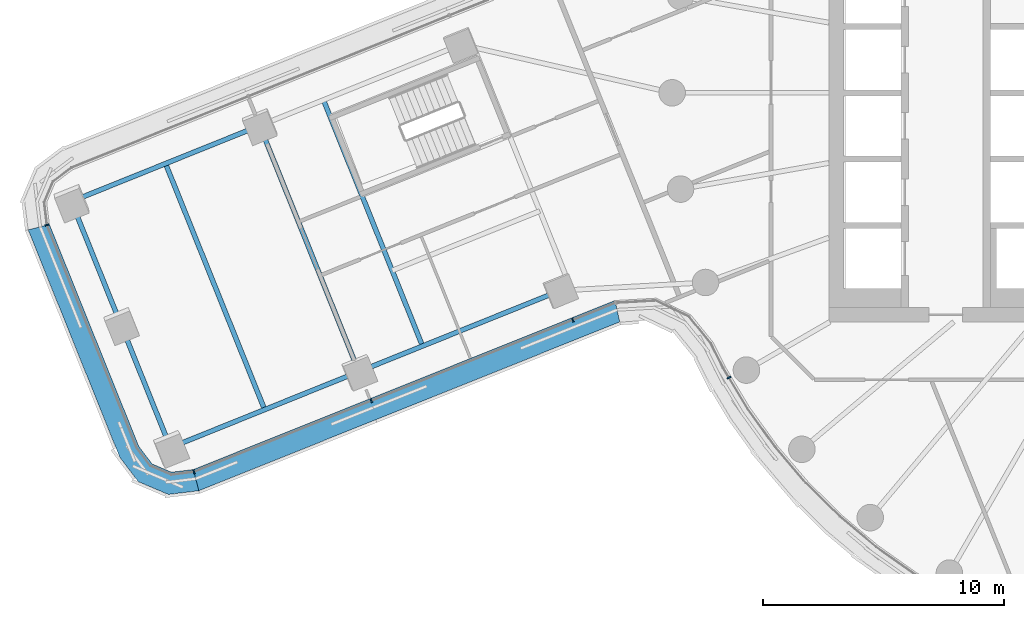
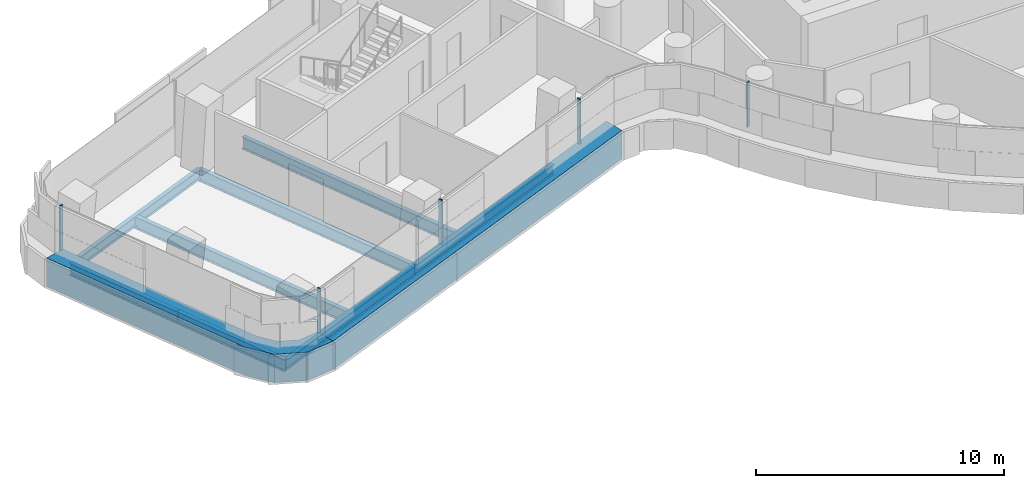
# One storey, part 4 of 32: 8 beams, 7 members, 3 elements without a shape of their own.
"""IFC4 building model written with IfcOpenShell, lengths in metres."""

from ifc_helpers import new_model, si_unit, direction, frame, origin, origin_2d, place, context, subcontext, project, spatial, polyline, rectangle, i_section, outline, extrude, material, layer, layer_set, material_profile, profile_set, type_object, element, aggregate, save


model = new_model("IFC4")

# Units and contexts
model_context = context("Model", 3, precision=1e-05, world=origin(), true_north=direction((0.0, 1.0)))
body_context = subcontext(model_context, "Body", "Model", "MODEL_VIEW")
ifc_project = project(units=[si_unit("LENGTHUNIT", "METRE"), si_unit("AREAUNIT", "SQUARE_METRE"), si_unit("VOLUMEUNIT", "CUBIC_METRE"), si_unit("PLANEANGLEUNIT", "RADIAN"), si_unit("MASSUNIT", "GRAM", prefix="KILO")], contexts=[model_context])

# Site, building, storey
site_placement = place(None, origin())
site = spatial("IfcSite", under=ifc_project, at=site_placement, CompositionType="ELEMENT")
building_placement = place(site_placement, origin())
building = spatial("IfcBuilding", under=site, at=building_placement, Name="Tamarind Cross Interchange Tower", CompositionType="ELEMENT")
storey_placement = place(building_placement, frame((0.0, 0.0, 113.5)))
storey = spatial("IfcBuildingStorey", under=building, at=storey_placement, Name="L27", CompositionType="ELEMENT", Elevation=113.5)

# Beams
ifc_material_1 = material(Name="Steel Q355B", Category="steel")
ifc_material_profile_1 = material_profile(ifc_material_1, i_section(OverallWidth=0.198974609375, OverallDepth=0.49609375, WebThickness=0.009033203125, FlangeThickness=0.013916015625, FilletRadius=0.012939453125, at=origin_2d()), Name="HN 496x199x9x14")
ifc_profile_set_1 = profile_set([ifc_material_profile_1], Name="Steel Q355B")
beam_type_1 = type_object("IfcBeamType", Name="Composite beam HN 496x199x9x14 Q355B", PredefinedType="BEAM", material=ifc_profile_set_1)
for number, where, z_axis, x_axis, name in (
    (1, (-47.91259765625, -4.5087890625, -0.387939453125), (0.927572144084, 0.373644105427, 0.0), (-0.373644105427, 0.927572144084, 0.0), "Beam W-edgeem5"),
    (2, (-43.802490234375, -14.712158203125, -0.387939453125), (0.927562095105, 0.373669051066, 0.0), (-0.373669051066, 0.927562095105, 0.0), "Beam W-edgeep2"),
):
    element("IfcBeam", number, at=place(storey_placement, frame(where, z_axis=z_axis, x_axis=x_axis)), inside=storey, type_object=beam_type_1, Name=name, PredefinedType="BEAM", context=body_context, shape_type="SweptSolid", body=[
        extrude(i_section(OverallWidth=0.198974609375, OverallDepth=0.49609375, WebThickness=0.009033203125, FlangeThickness=0.013916015625, FilletRadius=0.012939453125, at=origin_2d()), origin(), (0.0, 0.0, 1.0), 8.42041015625),
    ])
beam_1_placement = place(storey_placement, frame((-35.991943359375, -11.565673828125, -0.387939453125), z_axis=(0.92757222343, 0.37364390845, 0.0), x_axis=(-0.37364390845, 0.92757222343, 0.0)))
element("IfcBeam", 3, at=beam_1_placement, inside=storey, type_object=beam_type_1, Name="Beam W-edgeep3", PredefinedType="BEAM", context=body_context, shape_type="SweptSolid", body=[
    extrude(i_section(OverallWidth=0.198974609375, OverallDepth=0.49609375, WebThickness=0.009033203125, FlangeThickness=0.013916015625, FilletRadius=0.012939453125, at=origin_2d()), origin(), (0.0, 0.0, 1.0), 9.0),
])
ifc_material_profile_2 = material_profile(ifc_material_1, i_section(OverallWidth=0.199951171875, OverallDepth=0.60009765625, WebThickness=0.010986328125, FlangeThickness=0.01708984375, FilletRadius=0.012939453125, at=origin_2d()), Name="HN 600x200x11x17")
ifc_profile_set_2 = profile_set([ifc_material_profile_2], Name="Steel Q355B")
beam_type_2 = type_object("IfcBeamType", Name="Composite beam HN 600x200x11x17 Q355B", PredefinedType="BEAM", material=ifc_profile_set_2)
beam_2_placement = place(storey_placement, frame((-47.91259765625, -4.5087890625, -0.43994140625), z_axis=(0.373632062084, -0.927576995285, 0.0), x_axis=(0.927576995285, 0.373632062084, 0.0)))
element("IfcBeam", 4, at=beam_2_placement, inside=storey, type_object=beam_type_2, Name="Beam W-tip0", PredefinedType="BEAM", context=body_context, shape_type="SweptSolid", body=[
    extrude(i_section(OverallWidth=0.199951171875, OverallDepth=0.60009765625, WebThickness=0.010986328125, FlangeThickness=0.01708984375, FilletRadius=0.012939453125, at=origin_2d()), origin(), (0.0, 0.0, 1.0), 5.5),
])
beam_3_placement = place(storey_placement, frame((-45.857666015625, -9.6103515625, -0.43994140625), z_axis=(0.373654869503, -0.927567808032, 0.0), x_axis=(0.927567808032, 0.373654869503, 0.0)))
element("IfcBeam", 5, at=beam_3_placement, inside=storey, type_object=beam_type_2, Name="Beam W-tip1", PredefinedType="BEAM", context=body_context, shape_type="SweptSolid", body=[
    extrude(i_section(OverallWidth=0.199951171875, OverallDepth=0.60009765625, WebThickness=0.010986328125, FlangeThickness=0.01708984375, FilletRadius=0.012939453125, at=origin_2d()), origin(), (0.0, 0.0, 1.0), 5.500244140625),
])
beam_4_placement = place(storey_placement, frame((-37.45849609375, -0.297607421875, -0.43994140625), z_axis=(0.373643466151, -0.927572401596, 0.0), x_axis=(0.927572401596, 0.373643466151, 0.0)))
element("IfcBeam", 6, at=beam_4_placement, inside=storey, type_object=beam_type_2, Name="Beam W-x364", PredefinedType="BEAM", context=body_context, shape_type="SweptSolid", body=[
    extrude(i_section(OverallWidth=0.199951171875, OverallDepth=0.60009765625, WebThickness=0.010986328125, FlangeThickness=0.01708984375, FilletRadius=0.012939453125, at=origin_2d()), origin(), (0.0, 0.0, 1.0), 11.0),
])
beam_5_placement = place(storey_placement, frame((-40.10205078125, -1.362548828125, -0.43994140625), z_axis=(0.373651158478, -0.927569302946, 0.0), x_axis=(0.927569302946, 0.373651158478, 0.0)))
element("IfcBeam", 7, at=beam_5_placement, inside=storey, type_object=beam_type_2, Name="Beam W-x393", PredefinedType="BEAM", context=body_context, shape_type="SweptSolid", body=[
    extrude(i_section(OverallWidth=0.199951171875, OverallDepth=0.60009765625, WebThickness=0.010986328125, FlangeThickness=0.01708984375, FilletRadius=0.012939453125, at=origin_2d()), origin(), (0.0, 0.0, 1.0), 10.999755859375),
])
beam_6_placement = place(storey_placement, frame((-44.00732421875, -2.935546875, -0.43994140625), z_axis=(0.373643466151, -0.927572401596, 0.0), x_axis=(0.927572401596, 0.373643466151, 0.0)))
element("IfcBeam", 8, at=beam_6_placement, inside=storey, type_object=beam_type_2, Name="Beam W-x435", PredefinedType="BEAM", context=body_context, shape_type="SweptSolid", body=[
    extrude(i_section(OverallWidth=0.199951171875, OverallDepth=0.60009765625, WebThickness=0.010986328125, FlangeThickness=0.01708984375, FilletRadius=0.012939453125, at=origin_2d()), origin(), (0.0, 0.0, 1.0), 11.0),
])

# Curtain wall, member
ifc_material_2 = material(Name="Aluminium 6063-T6", Category="aluminium")
ifc_layer = layer(ifc_material_2, 0.159912109375)
ifc_layer_set = layer_set([ifc_layer], Name="Aluminium 6063-T6")
curtain_wall_type = type_object("IfcCurtainWallType", Name="Office curtain wall, 9.0 m bays", PredefinedType="NOTDEFINED", material=ifc_layer_set)
curtain_wall_1_placement = place(storey_placement, origin())
curtain_wall_1 = element("IfcCurtainWall", 9, at=curtain_wall_1_placement, inside=storey, type_object=curtain_wall_type, Name="CWS-L27-00", PredefinedType="NOTDEFINED")
ifc_material_3 = material(Name="Aluminium and insulated spandrel panel", Category="aluminium")
member_type_1 = type_object("IfcMemberType", Name="Floor-edge blade transom", PredefinedType="USERDEFINED", material=ifc_material_3)
member_1_placement = place(storey_placement, origin())
member_1 = element("IfcMember", 10, at=member_1_placement, type_object=member_type_1, Name="CWT-L27-00", ObjectType="TRANSOM", PredefinedType="USERDEFINED", context=body_context, shape_type="SweptSolid", body=[
    extrude(outline(polyline([(-48.82421875, -5.45751953125), (-45.1171875, -14.66015625), (-44.567138671875, -15.3916015625), (-43.762451171875, -15.734130859375), (-42.853515625, -15.62353515625), (-42.6279296875, -16.502685546875), (-43.89306640625, -16.65673828125), (-45.1416015625, -16.125244140625), (-45.90771484375, -15.106201171875), (-49.703369140625, -5.68408203125), (-48.82421875, -5.45751953125)])), origin(), (0.0, 0.0, 1.0), 1.39990234375),
])

curtain_wall_2_placement = place(storey_placement, origin())
curtain_wall_2 = element("IfcCurtainWall", 11, at=curtain_wall_2_placement, inside=storey, type_object=curtain_wall_type, Name="CWS-L27-01", PredefinedType="NOTDEFINED")
member_2_placement = place(storey_placement, origin())
member_2 = element("IfcMember", 12, at=member_2_placement, type_object=member_type_1, Name="CWT-L27-01", ObjectType="TRANSOM", PredefinedType="USERDEFINED", context=body_context, shape_type="SweptSolid", body=[
    extrude(outline(polyline([(-42.853515625, -15.62353515625), (-25.369384765625, -8.61376953125), (-25.171142578125, -9.50390625), (-42.6279296875, -16.502685546875), (-42.853515625, -15.62353515625)])), origin(), (0.0, 0.0, 1.0), 1.39990234375),
])

# Member
ifc_material_profile_3 = material_profile(ifc_material_2, rectangle(XDim=0.06005859375, YDim=0.159912109375, at=origin_2d()), Name="Mullion CW1")
ifc_profile_set_3 = profile_set([ifc_material_profile_3], Name="Aluminium 6063-T6")
member_type_2 = type_object("IfcMemberType", Name="Mullion CW1", PredefinedType="MULLION", material=ifc_profile_set_3)
member_3_placement = place(storey_placement, frame((-48.921875, -5.482666015625, 1.39990234375), z_axis=(0.0, 0.0, 1.0), x_axis=(0.249379546636, -0.96840582491, 0.0)))
member_3 = element("IfcMember", 13, at=member_3_placement, type_object=member_type_2, Name="CWM-L27-00-00", PredefinedType="MULLION", context=body_context, shape_type="SweptSolid", body=[
    extrude(rectangle(XDim=0.06005859375, YDim=0.159912109375, at=origin_2d()), origin(), (0.0, 0.0, 1.0), 2.210205078125),
])

aggregate(curtain_wall_1, [member_3, member_1])

member_4_placement = place(storey_placement, frame((-42.828369140625, -15.72119140625, 1.39990234375), z_axis=(0.0, 0.0, 1.0), x_axis=(0.968610318371, 0.248584092702, 0.0)))
member_4 = element("IfcMember", 14, at=member_4_placement, type_object=member_type_2, Name="CWM-L27-01-00", PredefinedType="MULLION", context=body_context, shape_type="SweptSolid", body=[
    extrude(rectangle(XDim=0.06005859375, YDim=0.159912109375, at=origin_2d()), origin(), (0.0, 0.0, 1.0), 2.210205078125),
])

member_5_placement = place(storey_placement, frame((-35.47412109375, -12.772705078125, 1.39990234375), z_axis=(0.0, 0.0, 1.0), x_axis=(0.928182933401, 0.372124229448, 0.0)))
member_5 = element("IfcMember", 15, at=member_5_placement, type_object=member_type_2, Name="CWM-L27-01-01", PredefinedType="MULLION", context=body_context, shape_type="SweptSolid", body=[
    extrude(rectangle(XDim=0.06005859375, YDim=0.159912109375, at=origin_2d()), origin(), (0.0, 0.0, 1.0), 2.210205078125),
])

member_6_placement = place(storey_placement, frame((-27.11767578125, -9.422607421875, 1.39990234375), z_axis=(0.0, 0.0, 1.0), x_axis=(0.928182933401, 0.372124229448, 0.0)))
member_6 = element("IfcMember", 16, at=member_6_placement, type_object=member_type_2, Name="CWM-L27-01-02", PredefinedType="MULLION", context=body_context, shape_type="SweptSolid", body=[
    extrude(rectangle(XDim=0.06005859375, YDim=0.159912109375, at=origin_2d()), origin(), (0.0, 0.0, 1.0), 2.210205078125),
])

aggregate(curtain_wall_2, [member_4, member_5, member_6, member_2])

# Curtain wall, member
curtain_wall_3_placement = place(storey_placement, origin())
curtain_wall_3 = element("IfcCurtainWall", 17, at=curtain_wall_3_placement, inside=storey, type_object=curtain_wall_type, Name="CWS-L27-02", PredefinedType="NOTDEFINED")
member_7_placement = place(storey_placement, frame((-20.639892578125, -11.812744140625, 1.39990234375), z_axis=(0.0, 0.0, 1.0), x_axis=(0.515577308909, -0.856843065292, 0.0)))
member_7 = element("IfcMember", 18, at=member_7_placement, type_object=member_type_2, Name="CWM-L27-02-01", PredefinedType="MULLION", context=body_context, shape_type="SweptSolid", body=[
    extrude(rectangle(XDim=0.06005859375, YDim=0.159912109375, at=origin_2d()), origin(), (0.0, 0.0, 1.0), 2.210205078125),
])
aggregate(curtain_wall_3, [member_7])

save(model, "model.ifc")
